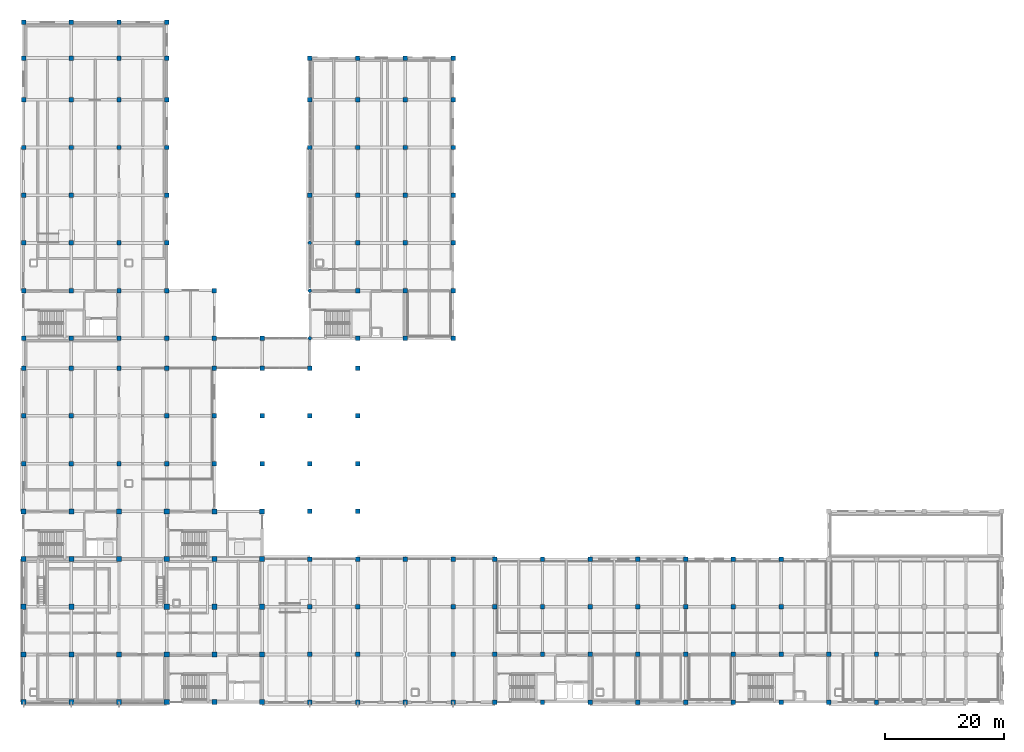
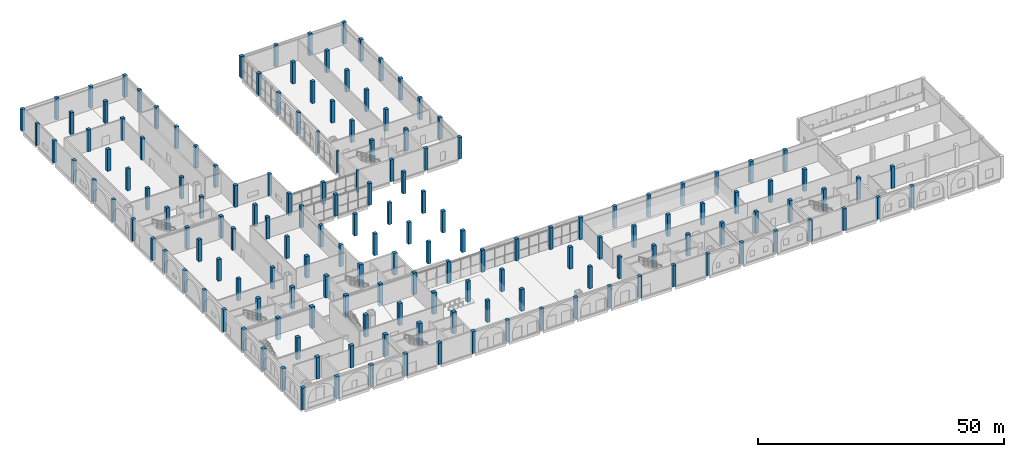
# One storey, part 1 of 40: 162 columns.
"""IFC4 building model written with IfcOpenShell, lengths in metres."""

from ifc_helpers import new_model, si_unit, direction, frame, origin, origin_2d, place, context, subcontext, project, spatial, rectangle, circle, extrude, material, material_profile, profile_set, type_object, element, save


model = new_model("IFC4")

# Units and contexts
model_context = context("Model", 3, precision=1e-05, world=origin(), true_north=direction((0.0, 1.0)))
body_context = subcontext(model_context, "Body", "Model", "MODEL_VIEW")
ifc_project = project(units=[si_unit("LENGTHUNIT", "METRE"), si_unit("AREAUNIT", "SQUARE_METRE"), si_unit("VOLUMEUNIT", "CUBIC_METRE"), si_unit("PLANEANGLEUNIT", "RADIAN"), si_unit("MASSUNIT", "GRAM", prefix="KILO")], contexts=[model_context])

# Site, building, storey
site_placement = place(None, origin())
site = spatial("IfcSite", under=ifc_project, at=site_placement, CompositionType="ELEMENT")
building_placement = place(site_placement, origin())
building = spatial("IfcBuilding", under=site, at=building_placement, Name="Qorikala Patio Media Centre", CompositionType="ELEMENT")
storey_placement = place(building_placement, origin())
storey = spatial("IfcBuildingStorey", under=building, at=storey_placement, Name="L00", CompositionType="ELEMENT", Elevation=0.0)

# Columns
ifc_material_1 = material(Name="Comanche Granite and Concrete C35/45", Category="masonry")
ifc_material_profile_1 = material_profile(ifc_material_1, circle(Radius=0.300048828125, at=origin_2d()), Name="STONE COL D600")
ifc_profile_set_1 = profile_set([ifc_material_profile_1], Name="Comanche Granite and Concrete C35/45")
column_type_1 = type_object("IfcColumnType", Name="COL-ARC-600", PredefinedType="COLUMN", material=ifc_profile_set_1)
for number, where, z_axis, x_axis, name in (
    (1, (51.0, 64.0, 0.0), (0.0, 0.0, 1.0), (1.0, 0.0, 0.0), "L00 Column (51,64)"),
    (2, (51.0, 72.0, 0.0), (0.0, 0.0, 1.0), (1.0, 0.0, 0.0), "L00 Column (51,72)"),
    (3, (51.0, 80.0, 0.0), (0.0, 0.0, 1.0), (1.0, 0.0, 0.0), "L00 Column (51,80)"),
):
    element("IfcColumn", number, at=place(storey_placement, frame(where, z_axis=z_axis, x_axis=x_axis)), inside=storey, type_object=column_type_1, Name=name, PredefinedType="COLUMN", context=body_context, shape_type="SweptSolid", body=[
        extrude(circle(Radius=0.300048828125, at=origin_2d()), origin(), (0.0, 0.0, 1.0), 5.39990234375),
    ])
ifc_material_2 = material(Name="Concrete C35/45", Category="concrete")
ifc_material_profile_2 = material_profile(ifc_material_2, rectangle(XDim=0.75, YDim=0.75, at=origin_2d()), Name="RC 750x750")
ifc_profile_set_2 = profile_set([ifc_material_profile_2], Name="Concrete C35/45")
column_type_2 = type_object("IfcColumnType", Name="RC-COL-750-EXT", PredefinedType="COLUMN", material=ifc_profile_set_2)
for number, where, z_axis, x_axis, name in (
    (4, (3.0, 43.0, 0.0), (0.0, 0.0, 1.0), (1.0, 0.0, 0.0), "L00 Column (3,43)"),
    (5, (3.0, 51.0, 0.0), (0.0, 0.0, 1.0), (1.0, 0.0, 0.0), "L00 Column (3,51)"),
    (6, (3.0, 59.0, 0.0), (0.0, 0.0, 1.0), (1.0, 0.0, 0.0), "L00 Column (3,59)"),
    (7, (3.0, 64.0, 0.0), (0.0, 0.0, 1.0), (1.0, 0.0, 0.0), "L00 Column (3,64)"),
    (8, (3.0, 72.0, 0.0), (0.0, 0.0, 1.0), (1.0, 0.0, 0.0), "L00 Column (3,72)"),
    (9, (3.0, 80.0, 0.0), (0.0, 0.0, 1.0), (1.0, 0.0, 0.0), "L00 Column (3,80)"),
    (10, (3.0, 88.0, 0.0), (0.0, 0.0, 1.0), (1.0, 0.0, 0.0), "L00 Column (3,88)"),
    (11, (3.0, 96.0, 0.0), (0.0, 0.0, 1.0), (1.0, 0.0, 0.0), "L00 Column (3,96)"),
    (12, (3.0, 104.0, 0.0), (0.0, 0.0, 1.0), (1.0, 0.0, 0.0), "L00 Column (3,104)"),
    (13, (3.0, 111.0, 0.0), (0.0, 0.0, 1.0), (1.0, 0.0, 0.0), "L00 Column (3,111)"),
    (14, (3.0, 117.0, 0.0), (0.0, 0.0, 1.0), (1.0, 0.0, 0.0), "L00 Column (3,117)"),
    (15, (11.0, 117.0, 0.0), (0.0, 0.0, 1.0), (1.0, 0.0, 0.0), "L00 Column (11,117)"),
    (16, (19.0, 117.0, 0.0), (0.0, 0.0, 1.0), (1.0, 0.0, 0.0), "L00 Column (19,117)"),
    (17, (27.0, 72.0, 0.0), (0.0, 0.0, 1.0), (1.0, 0.0, 0.0), "L00 Column (27,72)"),
    (18, (27.0, 80.0, 0.0), (0.0, 0.0, 1.0), (1.0, 0.0, 0.0), "L00 Column (27,80)"),
    (19, (27.0, 88.0, 0.0), (0.0, 0.0, 1.0), (1.0, 0.0, 0.0), "L00 Column (27,88)"),
    (20, (27.0, 96.0, 0.0), (0.0, 0.0, 1.0), (1.0, 0.0, 0.0), "L00 Column (27,96)"),
    (21, (27.0, 104.0, 0.0), (0.0, 0.0, 1.0), (1.0, 0.0, 0.0), "L00 Column (27,104)"),
    (22, (27.0, 111.0, 0.0), (0.0, 0.0, 1.0), (1.0, 0.0, 0.0), "L00 Column (27,111)"),
    (23, (27.0, 117.0, 0.0), (0.0, 0.0, 1.0), (1.0, 0.0, 0.0), "L00 Column (27,117)"),
    (24, (35.0, 43.0, 0.0), (0.0, 0.0, 1.0), (1.0, 0.0, 0.0), "L00 Column (35,43)"),
    (25, (35.0, 51.0, 0.0), (0.0, 0.0, 1.0), (1.0, 0.0, 0.0), "L00 Column (35,51)"),
    (26, (35.0, 59.0, 0.0), (0.0, 0.0, 1.0), (1.0, 0.0, 0.0), "L00 Column (35,59)"),
    (27, (35.0, 64.0, 0.0), (0.0, 0.0, 1.0), (1.0, 0.0, 0.0), "L00 Column (35,64)"),
    (28, (35.0, 72.0, 0.0), (0.0, 0.0, 1.0), (1.0, 0.0, 0.0), "L00 Column (35,72)"),
    (29, (43.0, 43.0, 0.0), (0.0, 0.0, 1.0), (1.0, 0.0, 0.0), "L00 Column (43,43)"),
    (30, (43.0, 51.0, 0.0), (0.0, 0.0, 1.0), (1.0, 0.0, 0.0), "L00 Column (43,51)"),
    (31, (43.0, 59.0, 0.0), (0.0, 0.0, 1.0), (1.0, 0.0, 0.0), "L00 Column (43,59)"),
    (32, (43.0, 64.0, 0.0), (0.0, 0.0, 1.0), (1.0, 0.0, 0.0), "L00 Column (43,64)"),
    (33, (51.0, 3.0, 0.0), (0.0, 0.0, 1.0), (1.0, 0.0, 0.0), "L00 Column (51,3)"),
    (34, (51.0, 27.0, 0.0), (0.0, 0.0, 1.0), (1.0, 0.0, 0.0), "L00 Column (51,27)"),
    (35, (51.0, 35.0, 0.0), (0.0, 0.0, 1.0), (1.0, 0.0, 0.0), "L00 Column (51,35)"),
    (36, (51.0, 43.0, 0.0), (0.0, 0.0, 1.0), (1.0, 0.0, 0.0), "L00 Column (51,43)"),
    (37, (51.0, 51.0, 0.0), (0.0, 0.0, 1.0), (1.0, 0.0, 0.0), "L00 Column (51,51)"),
    (38, (51.0, 59.0, 0.0), (0.0, 0.0, 1.0), (1.0, 0.0, 0.0), "L00 Column (51,59)"),
    (39, (51.0, 88.0, 0.0), (0.0, 0.0, 1.0), (1.0, 0.0, 0.0), "L00 Column (51,88)"),
    (40, (51.0, 96.0, 0.0), (0.0, 0.0, 1.0), (1.0, 0.0, 0.0), "L00 Column (51,96)"),
    (41, (51.0, 104.0, 0.0), (0.0, 0.0, 1.0), (1.0, 0.0, 0.0), "L00 Column (51,104)"),
    (42, (51.0, 111.0, 0.0), (0.0, 0.0, 1.0), (1.0, 0.0, 0.0), "L00 Column (51,111)"),
    (43, (59.0, 3.0, 0.0), (0.0, 0.0, 1.0), (1.0, 0.0, 0.0), "L00 Column (59,3)"),
    (44, (59.0, 27.0, 0.0), (0.0, 0.0, 1.0), (1.0, 0.0, 0.0), "L00 Column (59,27)"),
    (45, (59.0, 35.0, 0.0), (0.0, 0.0, 1.0), (1.0, 0.0, 0.0), "L00 Column (59,35)"),
    (46, (59.0, 43.0, 0.0), (0.0, 0.0, 1.0), (1.0, 0.0, 0.0), "L00 Column (59,43)"),
    (47, (59.0, 51.0, 0.0), (0.0, 0.0, 1.0), (1.0, 0.0, 0.0), "L00 Column (59,51)"),
    (48, (59.0, 59.0, 0.0), (0.0, 0.0, 1.0), (1.0, 0.0, 0.0), "L00 Column (59,59)"),
    (49, (59.0, 64.0, 0.0), (0.0, 0.0, 1.0), (1.0, 0.0, 0.0), "L00 Column (59,64)"),
    (50, (59.0, 111.0, 0.0), (0.0, 0.0, 1.0), (1.0, 0.0, 0.0), "L00 Column (59,111)"),
    (51, (67.0, 3.0, 0.0), (0.0, 0.0, 1.0), (1.0, 0.0, 0.0), "L00 Column (67,3)"),
    (52, (67.0, 27.0, 0.0), (0.0, 0.0, 1.0), (1.0, 0.0, 0.0), "L00 Column (67,27)"),
    (53, (67.0, 64.0, 0.0), (0.0, 0.0, 1.0), (1.0, 0.0, 0.0), "L00 Column (67,64)"),
    (54, (67.0, 111.0, 0.0), (0.0, 0.0, 1.0), (1.0, 0.0, 0.0), "L00 Column (67,111)"),
    (55, (75.0, 3.0, 0.0), (0.0, 0.0, 1.0), (1.0, 0.0, 0.0), "L00 Column (75,3)"),
    (56, (75.0, 27.0, 0.0), (0.0, 0.0, 1.0), (1.0, 0.0, 0.0), "L00 Column (75,27)"),
    (57, (75.0, 64.0, 0.0), (0.0, 0.0, 1.0), (1.0, 0.0, 0.0), "L00 Column (75,64)"),
    (58, (75.0, 72.0, 0.0), (0.0, 0.0, 1.0), (1.0, 0.0, 0.0), "L00 Column (75,72)"),
    (59, (75.0, 80.0, 0.0), (0.0, 0.0, 1.0), (1.0, 0.0, 0.0), "L00 Column (75,80)"),
    (60, (75.0, 88.0, 0.0), (0.0, 0.0, 1.0), (1.0, 0.0, 0.0), "L00 Column (75,88)"),
    (61, (75.0, 96.0, 0.0), (0.0, 0.0, 1.0), (1.0, 0.0, 0.0), "L00 Column (75,96)"),
    (62, (75.0, 104.0, 0.0), (0.0, 0.0, 1.0), (1.0, 0.0, 0.0), "L00 Column (75,104)"),
    (63, (75.0, 111.0, 0.0), (0.0, 0.0, 1.0), (1.0, 0.0, 0.0), "L00 Column (75,111)"),
    (64, (82.0, 3.0, 0.0), (0.0, 0.0, 1.0), (1.0, 0.0, 0.0), "L00 Column (82,3)"),
    (65, (82.0, 27.0, 0.0), (0.0, 0.0, 1.0), (1.0, 0.0, 0.0), "L00 Column (82,27)"),
    (66, (90.0, 3.0, 0.0), (0.0, 0.0, 1.0), (1.0, 0.0, 0.0), "L00 Column (90,3)"),
    (67, (90.0, 27.0, 0.0), (0.0, 0.0, 1.0), (1.0, 0.0, 0.0), "L00 Column (90,27)"),
    (68, (98.0, 3.0, 0.0), (0.0, 0.0, 1.0), (1.0, 0.0, 0.0), "L00 Column (98,3)"),
    (69, (98.0, 27.0, 0.0), (0.0, 0.0, 1.0), (1.0, 0.0, 0.0), "L00 Column (98,27)"),
    (70, (106.0, 3.0, 0.0), (0.0, 0.0, 1.0), (1.0, 0.0, 0.0), "L00 Column (106,3)"),
    (71, (106.0, 27.0, 0.0), (0.0, 0.0, 1.0), (1.0, 0.0, 0.0), "L00 Column (106,27)"),
    (72, (114.0, 3.0, 0.0), (0.0, 0.0, 1.0), (1.0, 0.0, 0.0), "L00 Column (114,3)"),
    (73, (114.0, 27.0, 0.0), (0.0, 0.0, 1.0), (1.0, 0.0, 0.0), "L00 Column (114,27)"),
    (74, (122.0, 3.0, 0.0), (0.0, 0.0, 1.0), (1.0, 0.0, 0.0), "L00 Column (122,3)"),
    (75, (122.0, 27.0, 0.0), (0.0, 0.0, 1.0), (1.0, 0.0, 0.0), "L00 Column (122,27)"),
    (76, (130.0, 3.0, 0.0), (0.0, 0.0, 1.0), (1.0, 0.0, 0.0), "L00 Column (130,3)"),
    (77, (130.0, 27.0, 0.0), (0.0, 0.0, 1.0), (1.0, 0.0, 0.0), "L00 Column (130,27)"),
    (78, (138.0, 3.0, 0.0), (0.0, 0.0, 1.0), (1.0, 0.0, 0.0), "L00 Column (138,3)"),
    (79, (146.0, 3.0, 0.0), (0.0, 0.0, 1.0), (1.0, 0.0, 0.0), "L00 Column (146,3)"),
):
    element("IfcColumn", number, at=place(storey_placement, frame(where, z_axis=z_axis, x_axis=x_axis)), inside=storey, type_object=column_type_2, Name=name, PredefinedType="COLUMN", context=body_context, shape_type="SweptSolid", body=[
        extrude(rectangle(XDim=0.75, YDim=0.75, at=origin_2d()), origin(), (0.0, 0.0, 1.0), 5.39990234375),
    ])
ifc_material_profile_3 = material_profile(ifc_material_2, rectangle(XDim=0.75, YDim=0.75, at=origin_2d()), Name="RC 750x750")
ifc_profile_set_3 = profile_set([ifc_material_profile_3], Name="Concrete C35/45")
column_type_3 = type_object("IfcColumnType", Name="RC-COL-750-INT", PredefinedType="COLUMN", material=ifc_profile_set_3)
for number, where, z_axis, x_axis, name in (
    (80, (11.0, 43.0, 0.0), (0.0, 0.0, 1.0), (1.0, 0.0, 0.0), "L00 Column (11,43)"),
    (81, (11.0, 51.0, 0.0), (0.0, 0.0, 1.0), (1.0, 0.0, 0.0), "L00 Column (11,51)"),
    (82, (11.0, 59.0, 0.0), (0.0, 0.0, 1.0), (1.0, 0.0, 0.0), "L00 Column (11,59)"),
    (83, (11.0, 64.0, 0.0), (0.0, 0.0, 1.0), (1.0, 0.0, 0.0), "L00 Column (11,64)"),
    (84, (11.0, 72.0, 0.0), (0.0, 0.0, 1.0), (1.0, 0.0, 0.0), "L00 Column (11,72)"),
    (85, (11.0, 80.0, 0.0), (0.0, 0.0, 1.0), (1.0, 0.0, 0.0), "L00 Column (11,80)"),
    (86, (11.0, 88.0, 0.0), (0.0, 0.0, 1.0), (1.0, 0.0, 0.0), "L00 Column (11,88)"),
    (87, (11.0, 96.0, 0.0), (0.0, 0.0, 1.0), (1.0, 0.0, 0.0), "L00 Column (11,96)"),
    (88, (11.0, 104.0, 0.0), (0.0, 0.0, 1.0), (1.0, 0.0, 0.0), "L00 Column (11,104)"),
    (89, (11.0, 111.0, 0.0), (0.0, 0.0, 1.0), (1.0, 0.0, 0.0), "L00 Column (11,111)"),
    (90, (19.0, 43.0, 0.0), (0.0, 0.0, 1.0), (1.0, 0.0, 0.0), "L00 Column (19,43)"),
    (91, (19.0, 59.0, 0.0), (0.0, 0.0, 1.0), (1.0, 0.0, 0.0), "L00 Column (19,59)"),
    (92, (19.0, 64.0, 0.0), (0.0, 0.0, 1.0), (1.0, 0.0, 0.0), "L00 Column (19,64)"),
    (93, (19.0, 72.0, 0.0), (0.0, 0.0, 1.0), (1.0, 0.0, 0.0), "L00 Column (19,72)"),
    (94, (19.0, 80.0, 0.0), (0.0, 0.0, 1.0), (1.0, 0.0, 0.0), "L00 Column (19,80)"),
    (95, (19.0, 96.0, 0.0), (0.0, 0.0, 1.0), (1.0, 0.0, 0.0), "L00 Column (19,96)"),
    (96, (19.0, 104.0, 0.0), (0.0, 0.0, 1.0), (1.0, 0.0, 0.0), "L00 Column (19,104)"),
    (97, (19.0, 111.0, 0.0), (0.0, 0.0, 1.0), (1.0, 0.0, 0.0), "L00 Column (19,111)"),
    (98, (27.0, 43.0, 0.0), (0.0, 0.0, 1.0), (1.0, 0.0, 0.0), "L00 Column (27,43)"),
    (99, (27.0, 51.0, 0.0), (0.0, 0.0, 1.0), (1.0, 0.0, 0.0), "L00 Column (27,51)"),
    (100, (27.0, 59.0, 0.0), (0.0, 0.0, 1.0), (1.0, 0.0, 0.0), "L00 Column (27,59)"),
    (101, (27.0, 64.0, 0.0), (0.0, 0.0, 1.0), (1.0, 0.0, 0.0), "L00 Column (27,64)"),
    (102, (51.0, 11.0, 0.0), (0.0, 0.0, 1.0), (1.0, 0.0, 0.0), "L00 Column (51,11)"),
    (103, (51.0, 19.0, 0.0), (0.0, 0.0, 1.0), (1.0, 0.0, 0.0), "L00 Column (51,19)"),
    (104, (59.0, 11.0, 0.0), (0.0, 0.0, 1.0), (1.0, 0.0, 0.0), "L00 Column (59,11)"),
    (105, (59.0, 19.0, 0.0), (0.0, 0.0, 1.0), (1.0, 0.0, 0.0), "L00 Column (59,19)"),
    (106, (59.0, 72.0, 0.0), (0.0, 0.0, 1.0), (1.0, 0.0, 0.0), "L00 Column (59,72)"),
    (107, (59.0, 80.0, 0.0), (0.0, 0.0, 1.0), (1.0, 0.0, 0.0), "L00 Column (59,80)"),
    (108, (59.0, 88.0, 0.0), (0.0, 0.0, 1.0), (1.0, 0.0, 0.0), "L00 Column (59,88)"),
    (109, (59.0, 96.0, 0.0), (0.0, 0.0, 1.0), (1.0, 0.0, 0.0), "L00 Column (59,96)"),
    (110, (59.0, 104.0, 0.0), (0.0, 0.0, 1.0), (1.0, 0.0, 0.0), "L00 Column (59,104)"),
    (111, (67.0, 72.0, 0.0), (0.0, 0.0, 1.0), (1.0, 0.0, 0.0), "L00 Column (67,72)"),
    (112, (67.0, 80.0, 0.0), (0.0, 0.0, 1.0), (1.0, 0.0, 0.0), "L00 Column (67,80)"),
    (113, (67.0, 88.0, 0.0), (0.0, 0.0, 1.0), (1.0, 0.0, 0.0), "L00 Column (67,88)"),
    (114, (67.0, 96.0, 0.0), (0.0, 0.0, 1.0), (1.0, 0.0, 0.0), "L00 Column (67,96)"),
    (115, (67.0, 104.0, 0.0), (0.0, 0.0, 1.0), (1.0, 0.0, 0.0), "L00 Column (67,104)"),
    (116, (75.0, 11.0, 0.0), (0.0, 0.0, 1.0), (1.0, 0.0, 0.0), "L00 Column (75,11)"),
    (117, (75.0, 19.0, 0.0), (0.0, 0.0, 1.0), (1.0, 0.0, 0.0), "L00 Column (75,19)"),
    (118, (82.0, 11.0, 0.0), (0.0, 0.0, 1.0), (1.0, 0.0, 0.0), "L00 Column (82,11)"),
    (119, (82.0, 19.0, 0.0), (0.0, 0.0, 1.0), (1.0, 0.0, 0.0), "L00 Column (82,19)"),
    (120, (90.0, 11.0, 0.0), (0.0, 0.0, 1.0), (1.0, 0.0, 0.0), "L00 Column (90,11)"),
    (121, (90.0, 19.0, 0.0), (0.0, 0.0, 1.0), (1.0, 0.0, 0.0), "L00 Column (90,19)"),
    (122, (98.0, 11.0, 0.0), (0.0, 0.0, 1.0), (1.0, 0.0, 0.0), "L00 Column (98,11)"),
    (123, (98.0, 19.0, 0.0), (0.0, 0.0, 1.0), (1.0, 0.0, 0.0), "L00 Column (98,19)"),
    (124, (106.0, 11.0, 0.0), (0.0, 0.0, 1.0), (1.0, 0.0, 0.0), "L00 Column (106,11)"),
    (125, (106.0, 19.0, 0.0), (0.0, 0.0, 1.0), (1.0, 0.0, 0.0), "L00 Column (106,19)"),
    (126, (114.0, 11.0, 0.0), (0.0, 0.0, 1.0), (1.0, 0.0, 0.0), "L00 Column (114,11)"),
    (127, (114.0, 19.0, 0.0), (0.0, 0.0, 1.0), (1.0, 0.0, 0.0), "L00 Column (114,19)"),
    (128, (122.0, 11.0, 0.0), (0.0, 0.0, 1.0), (1.0, 0.0, 0.0), "L00 Column (122,11)"),
    (129, (122.0, 19.0, 0.0), (0.0, 0.0, 1.0), (1.0, 0.0, 0.0), "L00 Column (122,19)"),
    (130, (130.0, 11.0, 0.0), (0.0, 0.0, 1.0), (1.0, 0.0, 0.0), "L00 Column (130,11)"),
    (131, (130.0, 19.0, 0.0), (0.0, 0.0, 1.0), (1.0, 0.0, 0.0), "L00 Column (130,19)"),
    (132, (138.0, 11.0, 0.0), (0.0, 0.0, 1.0), (1.0, 0.0, 0.0), "L00 Column (138,11)"),
    (133, (146.0, 11.0, 0.0), (0.0, 0.0, 1.0), (1.0, 0.0, 0.0), "L00 Column (146,11)"),
):
    element("IfcColumn", number, at=place(storey_placement, frame(where, z_axis=z_axis, x_axis=x_axis)), inside=storey, type_object=column_type_3, Name=name, PredefinedType="COLUMN", context=body_context, shape_type="SweptSolid", body=[
        extrude(rectangle(XDim=0.75, YDim=0.75, at=origin_2d()), origin(), (0.0, 0.0, 1.0), 5.39990234375),
    ])
ifc_material_profile_4 = material_profile(ifc_material_2, rectangle(XDim=0.85009765625, YDim=0.85009765625, at=origin_2d()), Name="RC 850x850")
ifc_profile_set_4 = profile_set([ifc_material_profile_4], Name="Concrete C35/45")
column_type_4 = type_object("IfcColumnType", Name="RC-COL-850-EXT", PredefinedType="COLUMN", material=ifc_profile_set_4)
for number, where, z_axis, x_axis, name in (
    (134, (3.0, 3.0, 0.0), (0.0, 0.0, 1.0), (1.0, 0.0, 0.0), "L00 Column (3,3)"),
    (135, (3.0, 11.0, 0.0), (0.0, 0.0, 1.0), (1.0, 0.0, 0.0), "L00 Column (3,11)"),
    (136, (3.0, 19.0, 0.0), (0.0, 0.0, 1.0), (1.0, 0.0, 0.0), "L00 Column (3,19)"),
    (137, (3.0, 27.0, 0.0), (0.0, 0.0, 1.0), (1.0, 0.0, 0.0), "L00 Column (3,27)"),
    (138, (3.0, 35.0, 0.0), (0.0, 0.0, 1.0), (1.0, 0.0, 0.0), "L00 Column (3,35)"),
    (139, (11.0, 3.0, 0.0), (0.0, 0.0, 1.0), (1.0, 0.0, 0.0), "L00 Column (11,3)"),
    (140, (19.0, 3.0, 0.0), (0.0, 0.0, 1.0), (1.0, 0.0, 0.0), "L00 Column (19,3)"),
    (141, (27.0, 3.0, 0.0), (0.0, 0.0, 1.0), (1.0, 0.0, 0.0), "L00 Column (27,3)"),
    (142, (35.0, 3.0, 0.0), (0.0, 0.0, 1.0), (1.0, 0.0, 0.0), "L00 Column (35,3)"),
    (143, (35.0, 35.0, 0.0), (0.0, 0.0, 1.0), (1.0, 0.0, 0.0), "L00 Column (35,35)"),
    (144, (43.0, 3.0, 0.0), (0.0, 0.0, 1.0), (1.0, 0.0, 0.0), "L00 Column (43,3)"),
    (145, (43.0, 27.0, 0.0), (0.0, 0.0, 1.0), (1.0, 0.0, 0.0), "L00 Column (43,27)"),
    (146, (43.0, 35.0, 0.0), (0.0, 0.0, 1.0), (1.0, 0.0, 0.0), "L00 Column (43,35)"),
):
    element("IfcColumn", number, at=place(storey_placement, frame(where, z_axis=z_axis, x_axis=x_axis)), inside=storey, type_object=column_type_4, Name=name, PredefinedType="COLUMN", context=body_context, shape_type="SweptSolid", body=[
        extrude(rectangle(XDim=0.85009765625, YDim=0.85009765625, at=origin_2d()), origin(), (0.0, 0.0, 1.0), 5.39990234375),
    ])
ifc_material_profile_5 = material_profile(ifc_material_2, rectangle(XDim=0.85009765625, YDim=0.85009765625, at=origin_2d()), Name="RC 850x850")
ifc_profile_set_5 = profile_set([ifc_material_profile_5], Name="Concrete C35/45")
column_type_5 = type_object("IfcColumnType", Name="RC-COL-850-INT", PredefinedType="COLUMN", material=ifc_profile_set_5)
for number, where, z_axis, x_axis, name in (
    (147, (11.0, 11.0, 0.0), (0.0, 0.0, 1.0), (1.0, 0.0, 0.0), "L00 Column (11,11)"),
    (148, (11.0, 19.0, 0.0), (0.0, 0.0, 1.0), (1.0, 0.0, 0.0), "L00 Column (11,19)"),
    (149, (11.0, 27.0, 0.0), (0.0, 0.0, 1.0), (1.0, 0.0, 0.0), "L00 Column (11,27)"),
    (150, (11.0, 35.0, 0.0), (0.0, 0.0, 1.0), (1.0, 0.0, 0.0), "L00 Column (11,35)"),
    (151, (19.0, 11.0, 0.0), (0.0, 0.0, 1.0), (1.0, 0.0, 0.0), "L00 Column (19,11)"),
    (152, (19.0, 27.0, 0.0), (0.0, 0.0, 1.0), (1.0, 0.0, 0.0), "L00 Column (19,27)"),
    (153, (19.0, 35.0, 0.0), (0.0, 0.0, 1.0), (1.0, 0.0, 0.0), "L00 Column (19,35)"),
    (154, (27.0, 11.0, 0.0), (0.0, 0.0, 1.0), (1.0, 0.0, 0.0), "L00 Column (27,11)"),
    (155, (27.0, 19.0, 0.0), (0.0, 0.0, 1.0), (1.0, 0.0, 0.0), "L00 Column (27,19)"),
    (156, (27.0, 27.0, 0.0), (0.0, 0.0, 1.0), (1.0, 0.0, 0.0), "L00 Column (27,27)"),
    (157, (27.0, 35.0, 0.0), (0.0, 0.0, 1.0), (1.0, 0.0, 0.0), "L00 Column (27,35)"),
    (158, (35.0, 11.0, 0.0), (0.0, 0.0, 1.0), (1.0, 0.0, 0.0), "L00 Column (35,11)"),
    (159, (35.0, 19.0, 0.0), (0.0, 0.0, 1.0), (1.0, 0.0, 0.0), "L00 Column (35,19)"),
    (160, (35.0, 27.0, 0.0), (0.0, 0.0, 1.0), (1.0, 0.0, 0.0), "L00 Column (35,27)"),
    (161, (43.0, 11.0, 0.0), (0.0, 0.0, 1.0), (1.0, 0.0, 0.0), "L00 Column (43,11)"),
    (162, (43.0, 19.0, 0.0), (0.0, 0.0, 1.0), (1.0, 0.0, 0.0), "L00 Column (43,19)"),
):
    element("IfcColumn", number, at=place(storey_placement, frame(where, z_axis=z_axis, x_axis=x_axis)), inside=storey, type_object=column_type_5, Name=name, PredefinedType="COLUMN", context=body_context, shape_type="SweptSolid", body=[
        extrude(rectangle(XDim=0.85009765625, YDim=0.85009765625, at=origin_2d()), origin(), (0.0, 0.0, 1.0), 5.39990234375),
    ])

save(model, "model.ifc")
